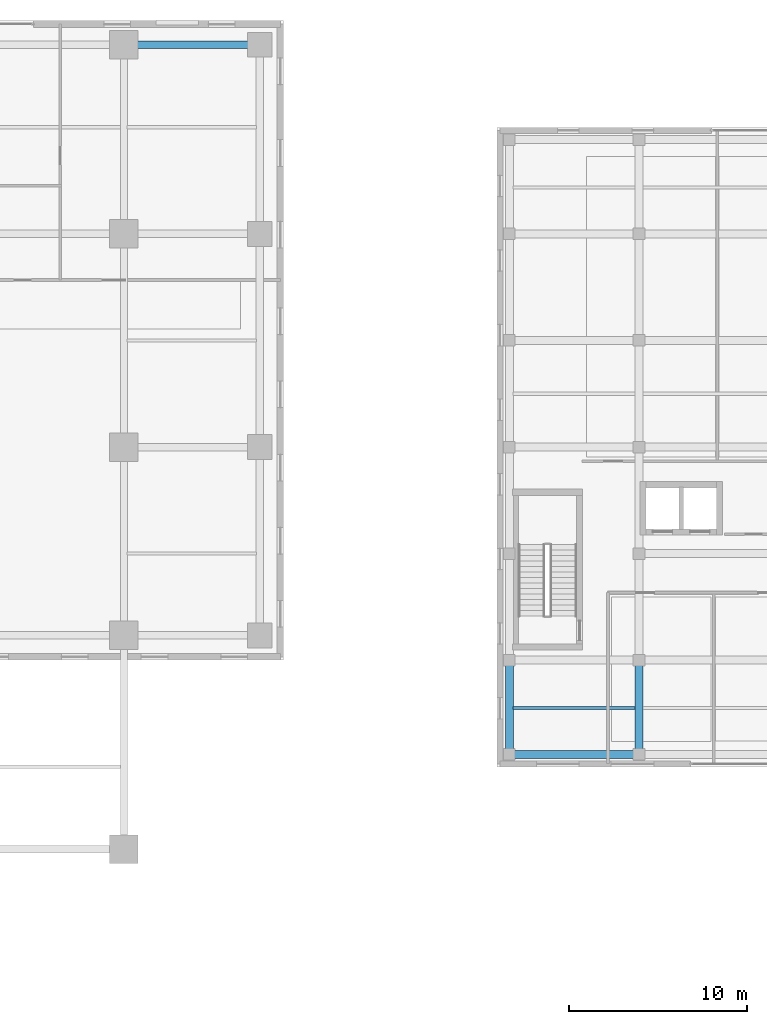
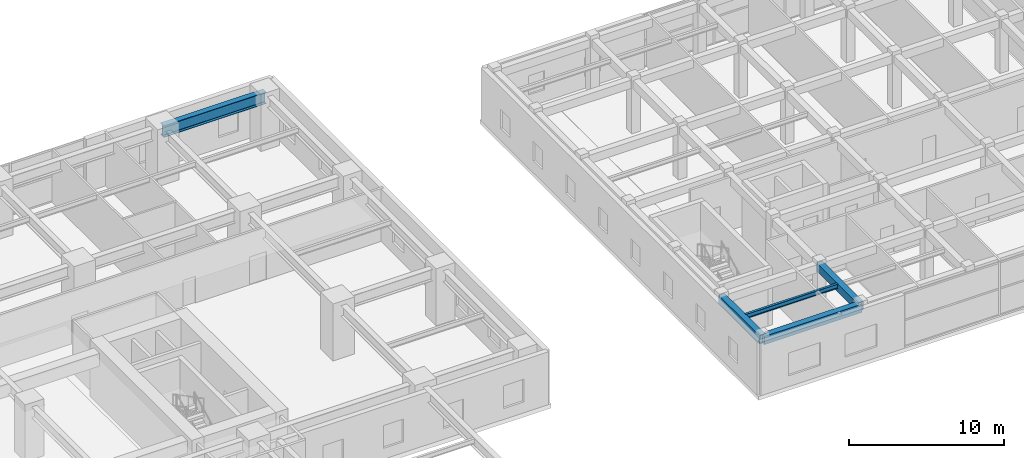
# One storey, part 9 of 28: 5 beams.
"""IFC4 building model written with IfcOpenShell, lengths in metres."""

from ifc_helpers import new_model, si_unit, direction, frame, origin, origin_2d, place, context, subcontext, project, spatial, rectangle, i_section, extrude, source, transform, mapped, material, material_profile, profile_set, type_object, element, save


model = new_model("IFC4")

# Units and contexts
model_context = context("Model", 3, precision=1e-05, world=origin(), true_north=direction((0.0, 1.0)))
body_context = subcontext(model_context, "Body", "Model", "MODEL_VIEW")
ifc_project = project(units=[si_unit("LENGTHUNIT", "METRE"), si_unit("AREAUNIT", "SQUARE_METRE"), si_unit("VOLUMEUNIT", "CUBIC_METRE"), si_unit("PLANEANGLEUNIT", "RADIAN"), si_unit("MASSUNIT", "GRAM", prefix="KILO")], contexts=[model_context])

# Site, building, storey
site_placement = place(None, origin())
site = spatial("IfcSite", under=ifc_project, at=site_placement, CompositionType="ELEMENT")
building_placement = place(site_placement, origin())
building = spatial("IfcBuilding", under=site, at=building_placement, Name="Khoralis Quay Care Tower", CompositionType="ELEMENT")
storey_placement = place(building_placement, frame((0.0, 0.0, 9.0)))
storey = spatial("IfcBuildingStorey", under=building, at=storey_placement, Name="L02", CompositionType="ELEMENT", Elevation=9.0)

# Beams
ifc_material_1 = material(Name="Steel S355", Category="steel")
ifc_material_profile_1 = material_profile(ifc_material_1, i_section(OverallWidth=0.41796875, OverallDepth=0.912109375, WebThickness=0.019287109375, FlangeThickness=0.031982421875, FilletRadius=0.02392578125, at=origin_2d()), Name="Steel S355")
ifc_profile_set_1 = profile_set([ifc_material_profile_1], Name="Steel S355")
beam_type_1 = type_object("IfcBeamType", Name="BM-W920X342", PredefinedType="BEAM", material=ifc_profile_set_1)
shared_shape_1 = source(origin(), body_context, "Body", "SweptSolid", [
    extrude(i_section(OverallWidth=0.41796875, OverallDepth=0.912109375, WebThickness=0.019287109375, FlangeThickness=0.031982421875, FilletRadius=0.02392578125, at=origin_2d()), origin(), (0.0, 0.0, 1.0), 7.64990234375),
])
beam_1_placement = place(storey_placement, frame((47.0, 46.64990234375, 3.7041015625), z_axis=(1.0, 0.0, 0.0), x_axis=(0.0, 1.0, 0.0)))
element("IfcBeam", 1, at=beam_1_placement, inside=storey, type_object=beam_type_1, Name="BM-PODX-L02-23", PredefinedType="BEAM", context=body_context, shape_type="MappedRepresentation", body=[
    mapped(shared_shape_1, transform((0.0, 0.0, 0.0), scale=1.0)),
])
ifc_material_2 = material(Name="Concrete C40/50", Category="concrete")
ifc_material_profile_2 = material_profile(ifc_material_2, rectangle(XDim=0.449951171875, YDim=0.64990234375, at=origin_2d()), Name="Concrete C40/50")
ifc_profile_set_2 = profile_set([ifc_material_profile_2], Name="Concrete C40/50")
beam_type_2 = type_object("IfcBeamType", Name="BM-RC450X650", PredefinedType="BEAM", material=ifc_profile_set_2)
shared_shape_2 = source(origin(), body_context, "Body", "SweptSolid", [
    extrude(rectangle(XDim=0.449951171875, YDim=0.64990234375, at=origin_2d()), origin(), (0.0, 0.0, 1.0), 7.300048828125),
])
beam_2_placement = place(storey_placement, frame((68.699951171875, 6.699951171875, 3.875), z_axis=(1.0, 0.0, 0.0), x_axis=(0.0, 1.0, 0.0)))
element("IfcBeam", 2, at=beam_2_placement, inside=storey, type_object=beam_type_2, Name="BM-SCX-L02-01", PredefinedType="BEAM", context=body_context, shape_type="MappedRepresentation", body=[
    mapped(shared_shape_2, transform((0.0, 0.0, 0.0), scale=1.0)),
])
shared_shape_3 = source(origin(), body_context, "Body", "SweptSolid", [
    extrude(rectangle(XDim=0.449951171875, YDim=0.64990234375, at=origin_2d()), origin(), (0.0, 0.0, 1.0), 5.300048828125),
])
for number, where, z_axis, x_axis, name in (
    (3, (68.699951171875, 6.699951171875, 3.875), (0.0, 1.0, 0.0), (-1.0, 0.0, 0.0), "BM-SCY-L02-33"),
    (4, (76.0, 6.699951171875, 3.875), (0.0, 1.0, 0.0), (-1.0, 0.0, 0.0), "BM-SCY-L02-39"),
):
    element("IfcBeam", number, at=place(storey_placement, frame(where, z_axis=z_axis, x_axis=x_axis)), inside=storey, type_object=beam_type_2, Name=name, PredefinedType="BEAM", context=body_context, shape_type="MappedRepresentation", body=[
        mapped(shared_shape_3, transform((0.0, 0.0, 0.0), scale=1.0)),
    ])
ifc_material_profile_3 = material_profile(ifc_material_1, i_section(OverallWidth=0.1708984375, OverallDepth=0.35498046875, WebThickness=0.007080078125, FlangeThickness=0.01171875, FilletRadius=0.012939453125, at=origin_2d()), Name="Steel S355")
ifc_profile_set_3 = profile_set([ifc_material_profile_3], Name="Steel S355")
beam_type_3 = type_object("IfcBeamType", Name="BM-W360X51", PredefinedType="JOIST", material=ifc_profile_set_3)
shared_shape_4 = source(origin(), body_context, "Body", "SweptSolid", [
    extrude(i_section(OverallWidth=0.1708984375, OverallDepth=0.35498046875, WebThickness=0.007080078125, FlangeThickness=0.01171875, FilletRadius=0.012939453125, at=origin_2d()), origin(), (0.0, 0.0, 1.0), 6.8740234375),
])
beam_3_placement = place(storey_placement, frame((68.9130859375, 9.300048828125, 4.0224609375), z_axis=(1.0, 0.0, 0.0), x_axis=(0.0, 1.0, 0.0)))
element("IfcBeam", 5, at=beam_3_placement, inside=storey, type_object=beam_type_3, Name="BM-SCJ-L02-68", PredefinedType="JOIST", context=body_context, shape_type="MappedRepresentation", body=[
    mapped(shared_shape_4, transform((0.0, 0.0, 0.0), scale=1.0)),
])

save(model, "model.ifc")
